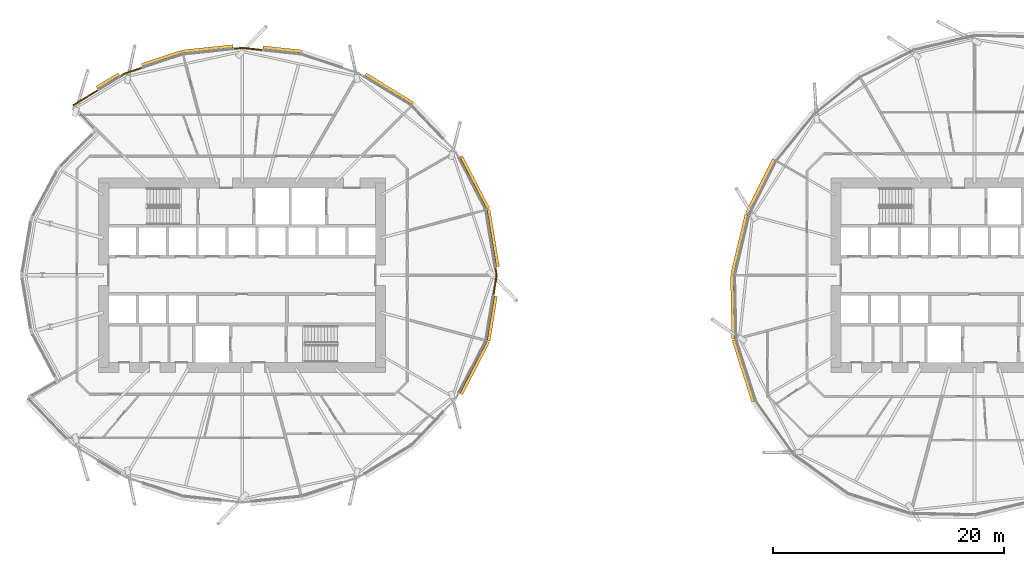
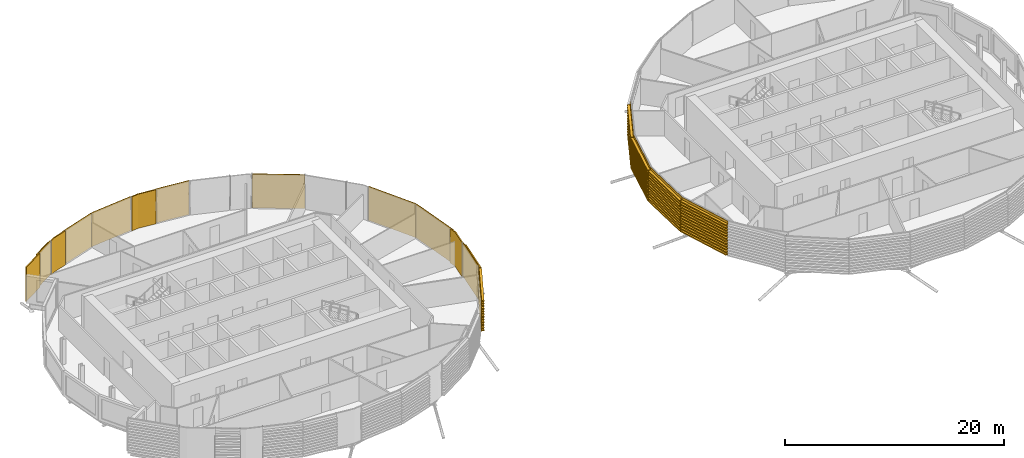
# One storey, part 33 of 36: 17 coverings.
"""IFC4 building model written with IfcOpenShell, lengths in metres."""

from ifc_helpers import new_model, si_unit, direction, frame, origin, place, context, subcontext, project, spatial, polyline, outline, extrude, material, layer, layer_set, material_profile, profile_set, type_object, element, save


model = new_model("IFC4")

# Units and contexts
model_context = context("Model", 3, precision=1e-05, world=origin(), true_north=direction((0.0, 1.0)))
body_context = subcontext(model_context, "Body", "Model", "MODEL_VIEW")
ifc_project = project(units=[si_unit("LENGTHUNIT", "METRE"), si_unit("AREAUNIT", "SQUARE_METRE"), si_unit("VOLUMEUNIT", "CUBIC_METRE"), si_unit("PLANEANGLEUNIT", "RADIAN"), si_unit("MASSUNIT", "GRAM", prefix="KILO")], contexts=[model_context])

# Site, building, storey
site_placement = place(None, origin())
site = spatial("IfcSite", under=ifc_project, at=site_placement, CompositionType="ELEMENT")
building_placement = place(site_placement, origin())
building = spatial("IfcBuilding", under=site, at=building_placement, Name="Rimbun Link Towers", CompositionType="ELEMENT")
storey_placement = place(building_placement, frame((0.0, 0.0, 37.60009765625)))
storey = spatial("IfcBuildingStorey", under=building, at=storey_placement, Name="L08", CompositionType="ELEMENT", Elevation=37.60009765625)

# Coverings
ifc_material_1 = material(Name="Terracotta", Category="masonry")
ifc_layer = layer(ifc_material_1, 0.1201171875)
ifc_layer_set = layer_set([ifc_layer], Name="LINK PIER terracotta cladding 120")
covering_type_1 = type_object("IfcCoveringType", Name="LINK PIER terracotta cladding 120", PredefinedType="CLADDING", material=ifc_layer_set)
covering_1_placement = place(storey_placement, origin())
element("IfcCovering", 1, at=covering_1_placement, inside=storey, type_object=covering_type_1, Name="LINK PIER cladding", PredefinedType="CLADDING", context=body_context, shape_type="SweptSolid", body=[
    extrude(outline(polyline([(-9.845947265625, 0.6611328125), (-9.7373046875, 0.0), (-10.0244140625, -1.74658203125), (-9.906005859375, -1.76611328125), (-9.61572265625, 0.0), (-9.7275390625, 0.6806640625), (-9.845947265625, 0.6611328125)])), origin(), (0.0, 0.0, 1.0), 3.7998046875),
])
covering_2_placement = place(storey_placement, origin())
element("IfcCovering", 2, at=covering_2_placement, inside=storey, type_object=covering_type_1, Name="LINK PIER cladding", PredefinedType="CLADDING", context=body_context, shape_type="SweptSolid", body=[
    extrude(outline(polyline([(-32.466064453125, 19.578857421875), (-31.75, 19.654296875), (-29.98974609375, 19.46875), (-29.97705078125, 19.588134765625), (-31.75, 19.77490234375), (-32.478515625, 19.697998046875), (-32.466064453125, 19.578857421875)])), origin(), (0.0, 0.0, 1.0), 3.7998046875),
])
covering_3_placement = place(storey_placement, origin())
element("IfcCovering", 3, at=covering_3_placement, inside=storey, type_object=covering_type_1, Name="LINK PIER cladding", PredefinedType="CLADDING", context=body_context, shape_type="SweptSolid", body=[
    extrude(outline(polyline([(-46.38525390625, 14.676513671875), (-44.220703125, 16.005615234375), (-44.283447265625, 16.107666015625), (-46.447998046875, 14.77880859375), (-46.38525390625, 14.676513671875)])), origin(), (0.0, 0.0, 1.0), 3.7998046875),
])
covering_4_placement = place(storey_placement, origin())
element("IfcCovering", 4, at=covering_4_placement, inside=storey, type_object=covering_type_1, Name="LINK PIER cladding", PredefinedType="CLADDING", context=body_context, shape_type="SweptSolid", body=[
    extrude(outline(polyline([(-42.279296875, 17.197509765625), (-41.836181640625, 17.469482421875), (-40.393310546875, 17.94775390625), (-40.430908203125, 18.0615234375), (-41.886962890625, 17.5791015625), (-42.342041015625, 17.2998046875), (-42.279296875, 17.197509765625)])), origin(), (0.0, 0.0, 1.0), 3.7998046875),
])
ifc_material_2 = material(Name="Terracotta", Category="masonry")
ifc_material_profile = material_profile(ifc_material_2, outline(polyline([(0.123046875, 0.0), (0.1630859375, 0.0), (0.1630859375, 0.10009765625), (0.423095703125, 0.10009765625), (0.423095703125, 0.219970703125), (0.1630859375, 0.219970703125), (0.1630859375, 0.39990234375), (0.423095703125, 0.39990234375), (0.423095703125, 0.52001953125), (0.1630859375, 0.52001953125), (0.1630859375, 0.699951171875), (0.423095703125, 0.699951171875), (0.423095703125, 0.820068359375), (0.1630859375, 0.820068359375), (0.1630859375, 1.0), (0.423095703125, 1.0), (0.423095703125, 1.1201171875), (0.1630859375, 1.1201171875), (0.1630859375, 1.300048828125), (0.423095703125, 1.300048828125), (0.423095703125, 1.419921875), (0.1630859375, 1.419921875), (0.1630859375, 1.60009765625), (0.423095703125, 1.60009765625), (0.423095703125, 1.719970703125), (0.1630859375, 1.719970703125), (0.1630859375, 1.89990234375), (0.423095703125, 1.89990234375), (0.423095703125, 2.02001953125), (0.1630859375, 2.02001953125), (0.1630859375, 2.199951171875), (0.423095703125, 2.199951171875), (0.423095703125, 2.320068359375), (0.1630859375, 2.320068359375), (0.1630859375, 2.5), (0.423095703125, 2.5), (0.423095703125, 2.6201171875), (0.1630859375, 2.6201171875), (0.1630859375, 2.800048828125), (0.423095703125, 2.800048828125), (0.423095703125, 2.919921875), (0.1630859375, 2.919921875), (0.1630859375, 3.10009765625), (0.423095703125, 3.10009765625), (0.423095703125, 3.219970703125), (0.1630859375, 3.219970703125), (0.1630859375, 3.39990234375), (0.423095703125, 3.39990234375), (0.423095703125, 3.52001953125), (0.1630859375, 3.52001953125), (0.1630859375, 3.800048828125), (0.123046875, 3.800048828125), (0.123046875, 0.0)])), Name="BAGUETTE 120X300")
ifc_profile_set = profile_set([ifc_material_profile], Name="Terracotta")
covering_type_2 = type_object("IfcCoveringType", Name="TERRACOTTA BAGUETTE 120X300 H3800", PredefinedType="CLADDING", material=ifc_profile_set)
covering_5_placement = place(storey_placement, frame((-10.666259765625, 5.6494140625, 0.0), z_axis=(0.162263623648, -0.986747443088, 0.0), x_axis=(0.986747443088, 0.162263623648, 0.0)))
element("IfcCovering", 5, at=covering_5_placement, inside=storey, type_object=covering_type_2, Name="TERRACOTTA BAGUETTE", PredefinedType="CLADDING", context=body_context, shape_type="SweptSolid", body=[
    extrude(outline(polyline([(0.123046875, 0.0), (0.1630859375, 0.0), (0.1630859375, 0.10009765625), (0.423095703125, 0.10009765625), (0.423095703125, 0.219970703125), (0.1630859375, 0.219970703125), (0.1630859375, 0.39990234375), (0.423095703125, 0.39990234375), (0.423095703125, 0.52001953125), (0.1630859375, 0.52001953125), (0.1630859375, 0.699951171875), (0.423095703125, 0.699951171875), (0.423095703125, 0.820068359375), (0.1630859375, 0.820068359375), (0.1630859375, 1.0), (0.423095703125, 1.0), (0.423095703125, 1.1201171875), (0.1630859375, 1.1201171875), (0.1630859375, 1.300048828125), (0.423095703125, 1.300048828125), (0.423095703125, 1.419921875), (0.1630859375, 1.419921875), (0.1630859375, 1.60009765625), (0.423095703125, 1.60009765625), (0.423095703125, 1.719970703125), (0.1630859375, 1.719970703125), (0.1630859375, 1.89990234375), (0.423095703125, 1.89990234375), (0.423095703125, 2.02001953125), (0.1630859375, 2.02001953125), (0.1630859375, 2.199951171875), (0.423095703125, 2.199951171875), (0.423095703125, 2.320068359375), (0.1630859375, 2.320068359375), (0.1630859375, 2.5), (0.423095703125, 2.5), (0.423095703125, 2.6201171875), (0.1630859375, 2.6201171875), (0.1630859375, 2.800048828125), (0.423095703125, 2.800048828125), (0.423095703125, 2.919921875), (0.1630859375, 2.919921875), (0.1630859375, 3.10009765625), (0.423095703125, 3.10009765625), (0.423095703125, 3.219970703125), (0.1630859375, 3.219970703125), (0.1630859375, 3.39990234375), (0.423095703125, 3.39990234375), (0.423095703125, 3.52001953125), (0.1630859375, 3.52001953125), (0.1630859375, 3.800048828125), (0.123046875, 3.800048828125), (0.123046875, 0.0)])), origin(), (0.0, 0.0, 1.0), 5.025390625),
])
covering_6_placement = place(storey_placement, frame((-13.012451171875, 10.183837890625, 0.0), z_axis=(0.459546500768, -0.888153710589, 0.0), x_axis=(0.888153710589, 0.459546500768, 0.0)))
element("IfcCovering", 6, at=covering_6_placement, inside=storey, type_object=covering_type_2, Name="TERRACOTTA BAGUETTE", PredefinedType="CLADDING", context=body_context, shape_type="SweptSolid", body=[
    extrude(outline(polyline([(0.123046875, 0.0), (0.1630859375, 0.0), (0.1630859375, 0.10009765625), (0.423095703125, 0.10009765625), (0.423095703125, 0.219970703125), (0.1630859375, 0.219970703125), (0.1630859375, 0.39990234375), (0.423095703125, 0.39990234375), (0.423095703125, 0.52001953125), (0.1630859375, 0.52001953125), (0.1630859375, 0.699951171875), (0.423095703125, 0.699951171875), (0.423095703125, 0.820068359375), (0.1630859375, 0.820068359375), (0.1630859375, 1.0), (0.423095703125, 1.0), (0.423095703125, 1.1201171875), (0.1630859375, 1.1201171875), (0.1630859375, 1.300048828125), (0.423095703125, 1.300048828125), (0.423095703125, 1.419921875), (0.1630859375, 1.419921875), (0.1630859375, 1.60009765625), (0.423095703125, 1.60009765625), (0.423095703125, 1.719970703125), (0.1630859375, 1.719970703125), (0.1630859375, 1.89990234375), (0.423095703125, 1.89990234375), (0.423095703125, 2.02001953125), (0.1630859375, 2.02001953125), (0.1630859375, 2.199951171875), (0.423095703125, 2.199951171875), (0.423095703125, 2.320068359375), (0.1630859375, 2.320068359375), (0.1630859375, 2.5), (0.423095703125, 2.5), (0.423095703125, 2.6201171875), (0.1630859375, 2.6201171875), (0.1630859375, 2.800048828125), (0.423095703125, 2.800048828125), (0.423095703125, 2.919921875), (0.1630859375, 2.919921875), (0.1630859375, 3.10009765625), (0.423095703125, 3.10009765625), (0.423095703125, 3.219970703125), (0.1630859375, 3.219970703125), (0.1630859375, 3.39990234375), (0.423095703125, 3.39990234375), (0.423095703125, 3.52001953125), (0.1630859375, 3.52001953125), (0.1630859375, 3.800048828125), (0.123046875, 3.800048828125), (0.123046875, 0.0)])), origin(), (0.0, 0.0, 1.0), 5.10546875),
])
covering_7_placement = place(storey_placement, frame((-21.1953125, 17.181884765625, 0.0), z_axis=(0.852204123862, -0.523209452583, 0.0), x_axis=(0.523209452583, 0.852204123862, 0.0)))
element("IfcCovering", 7, at=covering_7_placement, inside=storey, type_object=covering_type_2, Name="TERRACOTTA BAGUETTE", PredefinedType="CLADDING", context=body_context, shape_type="SweptSolid", body=[
    extrude(outline(polyline([(0.123046875, 0.0), (0.1630859375, 0.0), (0.1630859375, 0.10009765625), (0.423095703125, 0.10009765625), (0.423095703125, 0.219970703125), (0.1630859375, 0.219970703125), (0.1630859375, 0.39990234375), (0.423095703125, 0.39990234375), (0.423095703125, 0.52001953125), (0.1630859375, 0.52001953125), (0.1630859375, 0.699951171875), (0.423095703125, 0.699951171875), (0.423095703125, 0.820068359375), (0.1630859375, 0.820068359375), (0.1630859375, 1.0), (0.423095703125, 1.0), (0.423095703125, 1.1201171875), (0.1630859375, 1.1201171875), (0.1630859375, 1.300048828125), (0.423095703125, 1.300048828125), (0.423095703125, 1.419921875), (0.1630859375, 1.419921875), (0.1630859375, 1.60009765625), (0.423095703125, 1.60009765625), (0.423095703125, 1.719970703125), (0.1630859375, 1.719970703125), (0.1630859375, 1.89990234375), (0.423095703125, 1.89990234375), (0.423095703125, 2.02001953125), (0.1630859375, 2.02001953125), (0.1630859375, 2.199951171875), (0.423095703125, 2.199951171875), (0.423095703125, 2.320068359375), (0.1630859375, 2.320068359375), (0.1630859375, 2.5), (0.423095703125, 2.5), (0.423095703125, 2.6201171875), (0.1630859375, 2.6201171875), (0.1630859375, 2.800048828125), (0.423095703125, 2.800048828125), (0.423095703125, 2.919921875), (0.1630859375, 2.919921875), (0.1630859375, 3.10009765625), (0.423095703125, 3.10009765625), (0.423095703125, 3.219970703125), (0.1630859375, 3.219970703125), (0.1630859375, 3.39990234375), (0.423095703125, 3.39990234375), (0.423095703125, 3.52001953125), (0.1630859375, 3.52001953125), (0.1630859375, 3.800048828125), (0.123046875, 3.800048828125), (0.123046875, 0.0)])), origin(), (0.0, 0.0, 1.0), 4.818359375),
])
covering_8_placement = place(storey_placement, frame((-29.9599609375, 19.465576171875, 0.0), z_axis=(0.994501858584, -0.104718925096, 0.0), x_axis=(0.104718925096, 0.994501858584, 0.0)))
element("IfcCovering", 8, at=covering_8_placement, inside=storey, type_object=covering_type_2, Name="TERRACOTTA BAGUETTE", PredefinedType="CLADDING", context=body_context, shape_type="SweptSolid", body=[
    extrude(outline(polyline([(0.123046875, 0.0), (0.1630859375, 0.0), (0.1630859375, 0.10009765625), (0.423095703125, 0.10009765625), (0.423095703125, 0.219970703125), (0.1630859375, 0.219970703125), (0.1630859375, 0.39990234375), (0.423095703125, 0.39990234375), (0.423095703125, 0.52001953125), (0.1630859375, 0.52001953125), (0.1630859375, 0.699951171875), (0.423095703125, 0.699951171875), (0.423095703125, 0.820068359375), (0.1630859375, 0.820068359375), (0.1630859375, 1.0), (0.423095703125, 1.0), (0.423095703125, 1.1201171875), (0.1630859375, 1.1201171875), (0.1630859375, 1.300048828125), (0.423095703125, 1.300048828125), (0.423095703125, 1.419921875), (0.1630859375, 1.419921875), (0.1630859375, 1.60009765625), (0.423095703125, 1.60009765625), (0.423095703125, 1.719970703125), (0.1630859375, 1.719970703125), (0.1630859375, 1.89990234375), (0.423095703125, 1.89990234375), (0.423095703125, 2.02001953125), (0.1630859375, 2.02001953125), (0.1630859375, 2.199951171875), (0.423095703125, 2.199951171875), (0.423095703125, 2.320068359375), (0.1630859375, 2.320068359375), (0.1630859375, 2.5), (0.423095703125, 2.5), (0.423095703125, 2.6201171875), (0.1630859375, 2.6201171875), (0.1630859375, 2.800048828125), (0.423095703125, 2.800048828125), (0.423095703125, 2.919921875), (0.1630859375, 2.919921875), (0.1630859375, 3.10009765625), (0.423095703125, 3.10009765625), (0.423095703125, 3.219970703125), (0.1630859375, 3.219970703125), (0.1630859375, 3.39990234375), (0.423095703125, 3.39990234375), (0.423095703125, 3.52001953125), (0.1630859375, 3.52001953125), (0.1630859375, 3.800048828125), (0.123046875, 3.800048828125), (0.123046875, 0.0)])), origin(), (0.0, 0.0, 1.0), 3.35009765625),
])
covering_9_placement = place(storey_placement, frame((-36.871826171875, 19.11474609375, 0.0), z_axis=(0.994498153958, 0.104754101466, 0.0), x_axis=(-0.104754101466, 0.994498153958, 0.0)))
element("IfcCovering", 9, at=covering_9_placement, inside=storey, type_object=covering_type_2, Name="TERRACOTTA BAGUETTE", PredefinedType="CLADDING", context=body_context, shape_type="SweptSolid", body=[
    extrude(outline(polyline([(0.123046875, 0.0), (0.1630859375, 0.0), (0.1630859375, 0.10009765625), (0.423095703125, 0.10009765625), (0.423095703125, 0.219970703125), (0.1630859375, 0.219970703125), (0.1630859375, 0.39990234375), (0.423095703125, 0.39990234375), (0.423095703125, 0.52001953125), (0.1630859375, 0.52001953125), (0.1630859375, 0.699951171875), (0.423095703125, 0.699951171875), (0.423095703125, 0.820068359375), (0.1630859375, 0.820068359375), (0.1630859375, 1.0), (0.423095703125, 1.0), (0.423095703125, 1.1201171875), (0.1630859375, 1.1201171875), (0.1630859375, 1.300048828125), (0.423095703125, 1.300048828125), (0.423095703125, 1.419921875), (0.1630859375, 1.419921875), (0.1630859375, 1.60009765625), (0.423095703125, 1.60009765625), (0.423095703125, 1.719970703125), (0.1630859375, 1.719970703125), (0.1630859375, 1.89990234375), (0.423095703125, 1.89990234375), (0.423095703125, 2.02001953125), (0.1630859375, 2.02001953125), (0.1630859375, 2.199951171875), (0.423095703125, 2.199951171875), (0.423095703125, 2.320068359375), (0.1630859375, 2.320068359375), (0.1630859375, 2.5), (0.423095703125, 2.5), (0.423095703125, 2.6201171875), (0.1630859375, 2.6201171875), (0.1630859375, 2.800048828125), (0.423095703125, 2.800048828125), (0.423095703125, 2.919921875), (0.1630859375, 2.919921875), (0.1630859375, 3.10009765625), (0.423095703125, 3.10009765625), (0.423095703125, 3.219970703125), (0.1630859375, 3.219970703125), (0.1630859375, 3.39990234375), (0.423095703125, 3.39990234375), (0.423095703125, 3.52001953125), (0.1630859375, 3.52001953125), (0.1630859375, 3.800048828125), (0.123046875, 3.800048828125), (0.123046875, 0.0)])), origin(), (0.0, 0.0, 1.0), 4.400146484375),
])
covering_10_placement = place(storey_placement, frame((-40.36474609375, 17.957275390625, 0.0), z_axis=(0.949239146914, 0.314555308277, 0.0), x_axis=(-0.314555308277, 0.949239146914, 0.0)))
element("IfcCovering", 10, at=covering_10_placement, inside=storey, type_object=covering_type_2, Name="TERRACOTTA BAGUETTE", PredefinedType="CLADDING", context=body_context, shape_type="SweptSolid", body=[
    extrude(outline(polyline([(0.123046875, 0.0), (0.1630859375, 0.0), (0.1630859375, 0.10009765625), (0.423095703125, 0.10009765625), (0.423095703125, 0.219970703125), (0.1630859375, 0.219970703125), (0.1630859375, 0.39990234375), (0.423095703125, 0.39990234375), (0.423095703125, 0.52001953125), (0.1630859375, 0.52001953125), (0.1630859375, 0.699951171875), (0.423095703125, 0.699951171875), (0.423095703125, 0.820068359375), (0.1630859375, 0.820068359375), (0.1630859375, 1.0), (0.423095703125, 1.0), (0.423095703125, 1.1201171875), (0.1630859375, 1.1201171875), (0.1630859375, 1.300048828125), (0.423095703125, 1.300048828125), (0.423095703125, 1.419921875), (0.1630859375, 1.419921875), (0.1630859375, 1.60009765625), (0.423095703125, 1.60009765625), (0.423095703125, 1.719970703125), (0.1630859375, 1.719970703125), (0.1630859375, 1.89990234375), (0.423095703125, 1.89990234375), (0.423095703125, 2.02001953125), (0.1630859375, 2.02001953125), (0.1630859375, 2.199951171875), (0.423095703125, 2.199951171875), (0.423095703125, 2.320068359375), (0.1630859375, 2.320068359375), (0.1630859375, 2.5), (0.423095703125, 2.5), (0.423095703125, 2.6201171875), (0.1630859375, 2.6201171875), (0.1630859375, 2.800048828125), (0.423095703125, 2.800048828125), (0.423095703125, 2.919921875), (0.1630859375, 2.919921875), (0.1630859375, 3.10009765625), (0.423095703125, 3.10009765625), (0.423095703125, 3.219970703125), (0.1630859375, 3.219970703125), (0.1630859375, 3.39990234375), (0.423095703125, 3.39990234375), (0.423095703125, 3.52001953125), (0.1630859375, 3.52001953125), (0.1630859375, 3.800048828125), (0.123046875, 3.800048828125), (0.123046875, 0.0)])), origin(), (0.0, 0.0, 1.0), 3.6796875),
])
covering_11_placement = place(storey_placement, frame((-44.195068359375, 16.021240234375, 0.0), z_axis=(0.852194471791, 0.523225173562, 0.0), x_axis=(-0.523225173562, 0.852194471791, 0.0)))
element("IfcCovering", 11, at=covering_11_placement, inside=storey, type_object=covering_type_2, Name="TERRACOTTA BAGUETTE", PredefinedType="CLADDING", context=body_context, shape_type="SweptSolid", body=[
    extrude(outline(polyline([(0.123046875, 0.0), (0.1630859375, 0.0), (0.1630859375, 0.10009765625), (0.423095703125, 0.10009765625), (0.423095703125, 0.219970703125), (0.1630859375, 0.219970703125), (0.1630859375, 0.39990234375), (0.423095703125, 0.39990234375), (0.423095703125, 0.52001953125), (0.1630859375, 0.52001953125), (0.1630859375, 0.699951171875), (0.423095703125, 0.699951171875), (0.423095703125, 0.820068359375), (0.1630859375, 0.820068359375), (0.1630859375, 1.0), (0.423095703125, 1.0), (0.423095703125, 1.1201171875), (0.1630859375, 1.1201171875), (0.1630859375, 1.300048828125), (0.423095703125, 1.300048828125), (0.423095703125, 1.419921875), (0.1630859375, 1.419921875), (0.1630859375, 1.60009765625), (0.423095703125, 1.60009765625), (0.423095703125, 1.719970703125), (0.1630859375, 1.719970703125), (0.1630859375, 1.89990234375), (0.423095703125, 1.89990234375), (0.423095703125, 2.02001953125), (0.1630859375, 2.02001953125), (0.1630859375, 2.199951171875), (0.423095703125, 2.199951171875), (0.423095703125, 2.320068359375), (0.1630859375, 2.320068359375), (0.1630859375, 2.5), (0.423095703125, 2.5), (0.423095703125, 2.6201171875), (0.1630859375, 2.6201171875), (0.1630859375, 2.800048828125), (0.423095703125, 2.800048828125), (0.423095703125, 2.919921875), (0.1630859375, 2.919921875), (0.1630859375, 3.10009765625), (0.423095703125, 3.10009765625), (0.423095703125, 3.219970703125), (0.1630859375, 3.219970703125), (0.1630859375, 3.39990234375), (0.423095703125, 3.39990234375), (0.423095703125, 3.52001953125), (0.1630859375, 3.52001953125), (0.1630859375, 3.800048828125), (0.123046875, 3.800048828125), (0.123046875, 0.0)])), origin(), (0.0, 0.0, 1.0), 2.21826171875),
])
covering_12_placement = place(storey_placement, frame((-10.666259765625, -5.6494140625, 0.0), z_axis=(-0.459546500768, -0.888153710589, 0.0), x_axis=(0.888153710589, -0.459546500768, 0.0)))
element("IfcCovering", 12, at=covering_12_placement, inside=storey, type_object=covering_type_2, Name="TERRACOTTA BAGUETTE", PredefinedType="CLADDING", context=body_context, shape_type="SweptSolid", body=[
    extrude(outline(polyline([(0.123046875, 0.0), (0.1630859375, 0.0), (0.1630859375, 0.10009765625), (0.423095703125, 0.10009765625), (0.423095703125, 0.219970703125), (0.1630859375, 0.219970703125), (0.1630859375, 0.39990234375), (0.423095703125, 0.39990234375), (0.423095703125, 0.52001953125), (0.1630859375, 0.52001953125), (0.1630859375, 0.699951171875), (0.423095703125, 0.699951171875), (0.423095703125, 0.820068359375), (0.1630859375, 0.820068359375), (0.1630859375, 1.0), (0.423095703125, 1.0), (0.423095703125, 1.1201171875), (0.1630859375, 1.1201171875), (0.1630859375, 1.300048828125), (0.423095703125, 1.300048828125), (0.423095703125, 1.419921875), (0.1630859375, 1.419921875), (0.1630859375, 1.60009765625), (0.423095703125, 1.60009765625), (0.423095703125, 1.719970703125), (0.1630859375, 1.719970703125), (0.1630859375, 1.89990234375), (0.423095703125, 1.89990234375), (0.423095703125, 2.02001953125), (0.1630859375, 2.02001953125), (0.1630859375, 2.199951171875), (0.423095703125, 2.199951171875), (0.423095703125, 2.320068359375), (0.1630859375, 2.320068359375), (0.1630859375, 2.5), (0.423095703125, 2.5), (0.423095703125, 2.6201171875), (0.1630859375, 2.6201171875), (0.1630859375, 2.800048828125), (0.423095703125, 2.800048828125), (0.423095703125, 2.919921875), (0.1630859375, 2.919921875), (0.1630859375, 3.10009765625), (0.423095703125, 3.10009765625), (0.423095703125, 3.219970703125), (0.1630859375, 3.219970703125), (0.1630859375, 3.39990234375), (0.423095703125, 3.39990234375), (0.423095703125, 3.52001953125), (0.1630859375, 3.52001953125), (0.1630859375, 3.800048828125), (0.123046875, 3.800048828125), (0.123046875, 0.0)])), origin(), (0.0, 0.0, 1.0), 5.10546875),
])
covering_13_placement = place(storey_placement, frame((-10.029296875, -1.776123046875, 0.0), z_axis=(-0.162270478291, -0.986746315866, 0.0), x_axis=(0.986746315866, -0.162270478291, 0.0)))
element("IfcCovering", 13, at=covering_13_placement, inside=storey, type_object=covering_type_2, Name="TERRACOTTA BAGUETTE", PredefinedType="CLADDING", context=body_context, shape_type="SweptSolid", body=[
    extrude(outline(polyline([(0.123046875, 0.0), (0.1630859375, 0.0), (0.1630859375, 0.10009765625), (0.423095703125, 0.10009765625), (0.423095703125, 0.219970703125), (0.1630859375, 0.219970703125), (0.1630859375, 0.39990234375), (0.423095703125, 0.39990234375), (0.423095703125, 0.52001953125), (0.1630859375, 0.52001953125), (0.1630859375, 0.699951171875), (0.423095703125, 0.699951171875), (0.423095703125, 0.820068359375), (0.1630859375, 0.820068359375), (0.1630859375, 1.0), (0.423095703125, 1.0), (0.423095703125, 1.1201171875), (0.1630859375, 1.1201171875), (0.1630859375, 1.300048828125), (0.423095703125, 1.300048828125), (0.423095703125, 1.419921875), (0.1630859375, 1.419921875), (0.1630859375, 1.60009765625), (0.423095703125, 1.60009765625), (0.423095703125, 1.719970703125), (0.1630859375, 1.719970703125), (0.1630859375, 1.89990234375), (0.423095703125, 1.89990234375), (0.423095703125, 2.02001953125), (0.1630859375, 2.02001953125), (0.1630859375, 2.199951171875), (0.423095703125, 2.199951171875), (0.423095703125, 2.320068359375), (0.1630859375, 2.320068359375), (0.1630859375, 2.5), (0.423095703125, 2.5), (0.423095703125, 2.6201171875), (0.1630859375, 2.6201171875), (0.1630859375, 2.800048828125), (0.423095703125, 2.800048828125), (0.423095703125, 2.919921875), (0.1630859375, 2.919921875), (0.1630859375, 3.10009765625), (0.423095703125, 3.10009765625), (0.423095703125, 3.219970703125), (0.1630859375, 3.219970703125), (0.1630859375, 3.39990234375), (0.423095703125, 3.39990234375), (0.423095703125, 3.52001953125), (0.1630859375, 3.52001953125), (0.1630859375, 3.800048828125), (0.123046875, 3.800048828125), (0.123046875, 0.0)])), origin(), (0.0, 0.0, 1.0), 3.92529296875),
])
covering_14_placement = place(storey_placement, frame((12.26513671875, 5.220947265625, 0.0), z_axis=(0.448800077, 0.893632189933, 0.0), x_axis=(-0.893632189933, 0.448800077, 0.0)))
element("IfcCovering", 14, at=covering_14_placement, inside=storey, type_object=covering_type_2, Name="TERRACOTTA BAGUETTE", PredefinedType="CLADDING", context=body_context, shape_type="SweptSolid", body=[
    extrude(outline(polyline([(0.123046875, 0.0), (0.1630859375, 0.0), (0.1630859375, 0.10009765625), (0.423095703125, 0.10009765625), (0.423095703125, 0.219970703125), (0.1630859375, 0.219970703125), (0.1630859375, 0.39990234375), (0.423095703125, 0.39990234375), (0.423095703125, 0.52001953125), (0.1630859375, 0.52001953125), (0.1630859375, 0.699951171875), (0.423095703125, 0.699951171875), (0.423095703125, 0.820068359375), (0.1630859375, 0.820068359375), (0.1630859375, 1.0), (0.423095703125, 1.0), (0.423095703125, 1.1201171875), (0.1630859375, 1.1201171875), (0.1630859375, 1.300048828125), (0.423095703125, 1.300048828125), (0.423095703125, 1.419921875), (0.1630859375, 1.419921875), (0.1630859375, 1.60009765625), (0.423095703125, 1.60009765625), (0.423095703125, 1.719970703125), (0.1630859375, 1.719970703125), (0.1630859375, 1.89990234375), (0.423095703125, 1.89990234375), (0.423095703125, 2.02001953125), (0.1630859375, 2.02001953125), (0.1630859375, 2.199951171875), (0.423095703125, 2.199951171875), (0.423095703125, 2.320068359375), (0.1630859375, 2.320068359375), (0.1630859375, 2.5), (0.423095703125, 2.5), (0.423095703125, 2.6201171875), (0.1630859375, 2.6201171875), (0.1630859375, 2.800048828125), (0.423095703125, 2.800048828125), (0.423095703125, 2.919921875), (0.1630859375, 2.919921875), (0.1630859375, 3.10009765625), (0.423095703125, 3.10009765625), (0.423095703125, 3.219970703125), (0.1630859375, 3.219970703125), (0.1630859375, 3.39990234375), (0.423095703125, 3.39990234375), (0.423095703125, 3.52001953125), (0.1630859375, 3.52001953125), (0.1630859375, 3.800048828125), (0.123046875, 3.800048828125), (0.123046875, 0.0)])), origin(), (0.0, 0.0, 1.0), 5.22998046875),
])
covering_15_placement = place(storey_placement, frame((11.0166015625, 0.0, 0.0), z_axis=(0.232581630052, 0.972576878896, 0.0), x_axis=(-0.972576878896, 0.232581630052, 0.0)))
element("IfcCovering", 15, at=covering_15_placement, inside=storey, type_object=covering_type_2, Name="TERRACOTTA BAGUETTE", PredefinedType="CLADDING", context=body_context, shape_type="SweptSolid", body=[
    extrude(outline(polyline([(0.123046875, 0.0), (0.1630859375, 0.0), (0.1630859375, 0.10009765625), (0.423095703125, 0.10009765625), (0.423095703125, 0.219970703125), (0.1630859375, 0.219970703125), (0.1630859375, 0.39990234375), (0.423095703125, 0.39990234375), (0.423095703125, 0.52001953125), (0.1630859375, 0.52001953125), (0.1630859375, 0.699951171875), (0.423095703125, 0.699951171875), (0.423095703125, 0.820068359375), (0.1630859375, 0.820068359375), (0.1630859375, 1.0), (0.423095703125, 1.0), (0.423095703125, 1.1201171875), (0.1630859375, 1.1201171875), (0.1630859375, 1.300048828125), (0.423095703125, 1.300048828125), (0.423095703125, 1.419921875), (0.1630859375, 1.419921875), (0.1630859375, 1.60009765625), (0.423095703125, 1.60009765625), (0.423095703125, 1.719970703125), (0.1630859375, 1.719970703125), (0.1630859375, 1.89990234375), (0.423095703125, 1.89990234375), (0.423095703125, 2.02001953125), (0.1630859375, 2.02001953125), (0.1630859375, 2.199951171875), (0.423095703125, 2.199951171875), (0.423095703125, 2.320068359375), (0.1630859375, 2.320068359375), (0.1630859375, 2.5), (0.423095703125, 2.5), (0.423095703125, 2.6201171875), (0.1630859375, 2.6201171875), (0.1630859375, 2.800048828125), (0.423095703125, 2.800048828125), (0.423095703125, 2.919921875), (0.1630859375, 2.919921875), (0.1630859375, 3.10009765625), (0.423095703125, 3.10009765625), (0.423095703125, 3.219970703125), (0.1630859375, 3.219970703125), (0.1630859375, 3.39990234375), (0.423095703125, 3.39990234375), (0.423095703125, 3.52001953125), (0.1630859375, 3.52001953125), (0.1630859375, 3.800048828125), (0.123046875, 3.800048828125), (0.123046875, 0.0)])), origin(), (0.0, 0.0, 1.0), 5.3681640625),
])
covering_16_placement = place(storey_placement, frame((11.1328125, -5.5244140625, 0.0), z_axis=(-0.02103123201, 0.99977881918, 0.0), x_axis=(-0.99977881918, -0.02103123201, 0.0)))
element("IfcCovering", 16, at=covering_16_placement, inside=storey, type_object=covering_type_2, Name="TERRACOTTA BAGUETTE", PredefinedType="CLADDING", context=body_context, shape_type="SweptSolid", body=[
    extrude(outline(polyline([(0.123046875, 0.0), (0.1630859375, 0.0), (0.1630859375, 0.10009765625), (0.423095703125, 0.10009765625), (0.423095703125, 0.219970703125), (0.1630859375, 0.219970703125), (0.1630859375, 0.39990234375), (0.423095703125, 0.39990234375), (0.423095703125, 0.52001953125), (0.1630859375, 0.52001953125), (0.1630859375, 0.699951171875), (0.423095703125, 0.699951171875), (0.423095703125, 0.820068359375), (0.1630859375, 0.820068359375), (0.1630859375, 1.0), (0.423095703125, 1.0), (0.423095703125, 1.1201171875), (0.1630859375, 1.1201171875), (0.1630859375, 1.300048828125), (0.423095703125, 1.300048828125), (0.423095703125, 1.419921875), (0.1630859375, 1.419921875), (0.1630859375, 1.60009765625), (0.423095703125, 1.60009765625), (0.423095703125, 1.719970703125), (0.1630859375, 1.719970703125), (0.1630859375, 1.89990234375), (0.423095703125, 1.89990234375), (0.423095703125, 2.02001953125), (0.1630859375, 2.02001953125), (0.1630859375, 2.199951171875), (0.423095703125, 2.199951171875), (0.423095703125, 2.320068359375), (0.1630859375, 2.320068359375), (0.1630859375, 2.5), (0.423095703125, 2.5), (0.423095703125, 2.6201171875), (0.1630859375, 2.6201171875), (0.1630859375, 2.800048828125), (0.423095703125, 2.800048828125), (0.423095703125, 2.919921875), (0.1630859375, 2.919921875), (0.1630859375, 3.10009765625), (0.423095703125, 3.10009765625), (0.423095703125, 3.219970703125), (0.1630859375, 3.219970703125), (0.1630859375, 3.39990234375), (0.423095703125, 3.39990234375), (0.423095703125, 3.52001953125), (0.1630859375, 3.52001953125), (0.1630859375, 3.800048828125), (0.123046875, 3.800048828125), (0.123046875, 0.0)])), origin(), (0.0, 0.0, 1.0), 5.525634765625),
])
covering_17_placement = place(storey_placement, frame((12.846923828125, -10.913818359375, 0.0), z_axis=(-0.303091398889, 0.95296149131, 0.0), x_axis=(-0.95296149131, -0.303091398889, 0.0)))
element("IfcCovering", 17, at=covering_17_placement, inside=storey, type_object=covering_type_2, Name="TERRACOTTA BAGUETTE", PredefinedType="CLADDING", context=body_context, shape_type="SweptSolid", body=[
    extrude(outline(polyline([(0.123046875, 0.0), (0.1630859375, 0.0), (0.1630859375, 0.10009765625), (0.423095703125, 0.10009765625), (0.423095703125, 0.219970703125), (0.1630859375, 0.219970703125), (0.1630859375, 0.39990234375), (0.423095703125, 0.39990234375), (0.423095703125, 0.52001953125), (0.1630859375, 0.52001953125), (0.1630859375, 0.699951171875), (0.423095703125, 0.699951171875), (0.423095703125, 0.820068359375), (0.1630859375, 0.820068359375), (0.1630859375, 1.0), (0.423095703125, 1.0), (0.423095703125, 1.1201171875), (0.1630859375, 1.1201171875), (0.1630859375, 1.300048828125), (0.423095703125, 1.300048828125), (0.423095703125, 1.419921875), (0.1630859375, 1.419921875), (0.1630859375, 1.60009765625), (0.423095703125, 1.60009765625), (0.423095703125, 1.719970703125), (0.1630859375, 1.719970703125), (0.1630859375, 1.89990234375), (0.423095703125, 1.89990234375), (0.423095703125, 2.02001953125), (0.1630859375, 2.02001953125), (0.1630859375, 2.199951171875), (0.423095703125, 2.199951171875), (0.423095703125, 2.320068359375), (0.1630859375, 2.320068359375), (0.1630859375, 2.5), (0.423095703125, 2.5), (0.423095703125, 2.6201171875), (0.1630859375, 2.6201171875), (0.1630859375, 2.800048828125), (0.423095703125, 2.800048828125), (0.423095703125, 2.919921875), (0.1630859375, 2.919921875), (0.1630859375, 3.10009765625), (0.423095703125, 3.10009765625), (0.423095703125, 3.219970703125), (0.1630859375, 3.219970703125), (0.1630859375, 3.39990234375), (0.423095703125, 3.39990234375), (0.423095703125, 3.52001953125), (0.1630859375, 3.52001953125), (0.1630859375, 3.800048828125), (0.123046875, 3.800048828125), (0.123046875, 0.0)])), origin(), (0.0, 0.0, 1.0), 5.655517578125),
])

save(model, "model.ifc")
